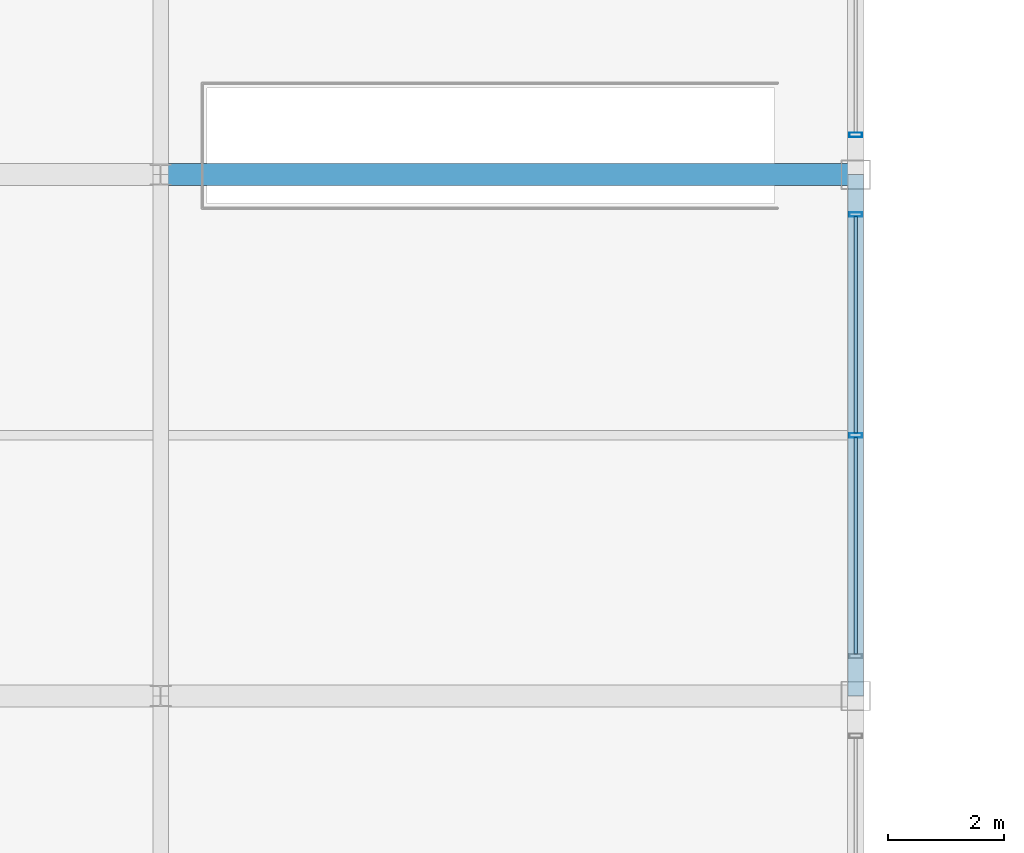
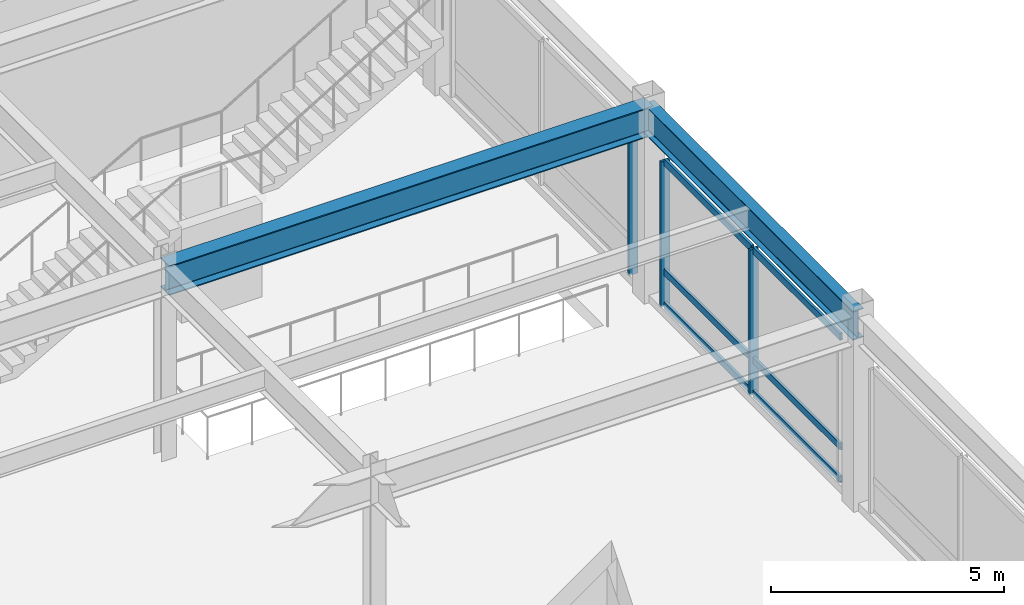
# One storey, part 54 of 100: 9 members, 2 beams, 2 elements without a shape of their own.
"""IFC4 building model written with IfcOpenShell, lengths in metres."""

from ifc_helpers import new_model, si_unit, direction, frame, origin, origin_2d, place, context, subcontext, project, spatial, hollow_rectangle, i_section, extrude, material, material_profile, profile_set, type_object, element, aggregate, save


model = new_model("IFC4")

# Units and contexts
model_context = context("Model", 3, precision=1e-05, world=origin(), true_north=direction((0.0, 1.0)))
body_context = subcontext(model_context, "Body", "Model", "MODEL_VIEW")
ifc_project = project(units=[si_unit("LENGTHUNIT", "METRE"), si_unit("AREAUNIT", "SQUARE_METRE"), si_unit("VOLUMEUNIT", "CUBIC_METRE"), si_unit("PLANEANGLEUNIT", "RADIAN"), si_unit("MASSUNIT", "GRAM", prefix="KILO")], contexts=[model_context])

# Site, building, storey
site_placement = place(None, origin())
site = spatial("IfcSite", under=ifc_project, at=site_placement, CompositionType="ELEMENT")
building_placement = place(site_placement, origin())
building = spatial("IfcBuilding", under=site, at=building_placement, Name="Kaldorvane Square Convention Centre", CompositionType="ELEMENT")
storey_placement = place(building_placement, frame((0.0, 0.0, 18.0)))
storey = spatial("IfcBuildingStorey", under=building, at=storey_placement, Name="L03", CompositionType="ELEMENT", Elevation=18.0)

# Beams
ifc_material_1 = material(Name="Steel ASTM A992 Gr. 50", Category="steel")
ifc_material_profile_1 = material_profile(ifc_material_1, i_section(OverallWidth=0.2666015625, OverallDepth=0.762298583984375, WebThickness=0.014404296875, FlangeThickness=0.0216064453125, FilletRadius=0.0164947509765625, at=origin_2d()), Name="W30X116")
ifc_profile_set_1 = profile_set([ifc_material_profile_1], Name="Steel ASTM A992 Gr. 50")
beam_type_1 = type_object("IfcBeamType", Name="BM-GR-W30X116", PredefinedType="BEAM", material=ifc_profile_set_1)
beam_1_placement = place(storey_placement, frame((138.0, 54.0, 4.694793701171875), z_axis=(0.0, 1.0, 0.0), x_axis=(-1.0, 0.0, 0.0)))
element("IfcBeam", 1, at=beam_1_placement, inside=storey, type_object=beam_type_1, Name="Transverse Girder (L03)", PredefinedType="BEAM", context=body_context, shape_type="SweptSolid", body=[
    extrude(i_section(OverallWidth=0.2666015625, OverallDepth=0.762298583984375, WebThickness=0.014404296875, FlangeThickness=0.0216064453125, FilletRadius=0.0164947509765625, at=origin_2d()), origin(), (0.0, 0.0, 1.0), 9.0),
])
ifc_material_profile_2 = material_profile(ifc_material_1, i_section(OverallWidth=0.380706787109375, OverallDepth=0.773193359375, WebThickness=0.0166015625, FlangeThickness=0.027099609375, FilletRadius=0.0164947509765625, at=origin_2d()), Name="W30X173")
ifc_profile_set_2 = profile_set([ifc_material_profile_2], Name="Steel ASTM A992 Gr. 50")
beam_type_2 = type_object("IfcBeamType", Name="BM-GR-W30X173", PredefinedType="BEAM", material=ifc_profile_set_2)
beam_2_placement = place(storey_placement, frame((126.0, 63.0, 4.6894073486328125), z_axis=(1.0, 0.0, 0.0), x_axis=(0.0, 1.0, 0.0)))
element("IfcBeam", 2, at=beam_2_placement, inside=storey, type_object=beam_type_2, Name="Primary Girder (L03)", PredefinedType="BEAM", context=body_context, shape_type="SweptSolid", body=[
    extrude(i_section(OverallWidth=0.380706787109375, OverallDepth=0.773193359375, WebThickness=0.0166015625, FlangeThickness=0.027099609375, FilletRadius=0.0164947509765625, at=origin_2d()), origin(), (0.0, 0.0, 1.0), 12.0),
])

# Curtain wall, members
ifc_material_2 = material(Name="Anodized Aluminum and Low-E Insulated Glazing", Category="aluminium")
curtain_wall_type = type_object("IfcCurtainWallType", Name="CW-PTS-FC-54", PredefinedType="USERDEFINED", material=ifc_material_2)
curtain_wall_1_placement = place(storey_placement, origin())
curtain_wall_1 = element("IfcCurtainWall", 3, at=curtain_wall_1_placement, inside=storey, type_object=curtain_wall_type, Name="Curtain Wall CW-08 (L03)", ObjectType="POINT SUPPORTED GLAZING", PredefinedType="USERDEFINED")
ifc_material_profile_3 = material_profile(ifc_material_2, hollow_rectangle(XDim=0.0749969482421875, YDim=0.220001220703125, WallThickness=0.003997802734375, at=origin_2d()), Name="CWM-220X75")
ifc_profile_set_3 = profile_set([ifc_material_profile_3], Name="Anodized Aluminum and Low-E Insulated Glazing")
member_type_1 = type_object("IfcMemberType", Name="CW-MUL-220", PredefinedType="MULLION", material=ifc_profile_set_3)
member_1_placement = place(storey_placement, frame((138.0, 58.5, 0.149993896484375), z_axis=(0.0, 0.0, 1.0), x_axis=(0.0, 1.0, 0.0)))
member_1 = element("IfcMember", 4, at=member_1_placement, type_object=member_type_1, Name="CW-08 mullion 2", PredefinedType="MULLION", context=body_context, shape_type="SweptSolid", body=[
    extrude(hollow_rectangle(XDim=0.0749969482421875, YDim=0.220001220703125, WallThickness=0.003997802734375, at=origin_2d()), origin(), (0.0, 0.0, 1.0), 3.8100128173828125),
])
member_2_placement = place(storey_placement, frame((138.0, 62.3125, 0.149993896484375), z_axis=(0.0, 0.0, 1.0), x_axis=(0.0, 1.0, 0.0)))
member_2 = element("IfcMember", 5, at=member_2_placement, type_object=member_type_1, Name="CW-08 mullion 3", PredefinedType="MULLION", context=body_context, shape_type="SweptSolid", body=[
    extrude(hollow_rectangle(XDim=0.0749969482421875, YDim=0.220001220703125, WallThickness=0.003997802734375, at=origin_2d()), origin(), (0.0, 0.0, 1.0), 3.8100128173828125),
])

# Curtain wall, member
curtain_wall_2_placement = place(storey_placement, origin())
curtain_wall_2 = element("IfcCurtainWall", 6, at=curtain_wall_2_placement, inside=storey, type_object=curtain_wall_type, Name="Curtain Wall CW-08 (L03)", ObjectType="POINT SUPPORTED GLAZING", PredefinedType="USERDEFINED")
member_3_placement = place(storey_placement, frame((138.0, 63.6875, 0.149993896484375), z_axis=(0.0, 0.0, 1.0), x_axis=(0.0, 1.0, 0.0)))
member_3 = element("IfcMember", 7, at=member_3_placement, type_object=member_type_1, Name="CW-08 mullion 1", PredefinedType="MULLION", context=body_context, shape_type="SweptSolid", body=[
    extrude(hollow_rectangle(XDim=0.0749969482421875, YDim=0.220001220703125, WallThickness=0.003997802734375, at=origin_2d()), origin(), (0.0, 0.0, 1.0), 3.8100128173828125),
])
aggregate(curtain_wall_2, [member_3])

# Member
ifc_material_profile_4 = material_profile(ifc_material_2, hollow_rectangle(XDim=0.06500244140625, YDim=0.17999267578125, WallThickness=0.0034942626953125, at=origin_2d()), Name="CWT-180X65")
ifc_profile_set_4 = profile_set([ifc_material_profile_4], Name="Anodized Aluminum and Low-E Insulated Glazing")
member_type_2 = type_object("IfcMemberType", Name="CW-TRN-180", PredefinedType="USERDEFINED", material=ifc_profile_set_4)
member_4_placement = place(storey_placement, frame((138.0, 54.725006103515625, 0.1824951171875), z_axis=(0.0, 1.0, 0.0), x_axis=(-1.0, 0.0, 0.0)))
member_4 = element("IfcMember", 8, at=member_4_placement, type_object=member_type_2, Name="CW-08 transom 1.1", ObjectType="TRANSOM", PredefinedType="USERDEFINED", context=body_context, shape_type="SweptSolid", body=[
    extrude(hollow_rectangle(XDim=0.06500244140625, YDim=0.17999267578125, WallThickness=0.0034942626953125, at=origin_2d()), origin(), (0.0, 0.0, 1.0), 3.73748779296875),
])

member_5_placement = place(storey_placement, frame((138.0, 54.725006103515625, 1.0500030517578125), z_axis=(0.0, 1.0, 0.0), x_axis=(-1.0, 0.0, 0.0)))
member_5 = element("IfcMember", 9, at=member_5_placement, type_object=member_type_2, Name="CW-08 transom 1.2", ObjectType="TRANSOM", PredefinedType="USERDEFINED", context=body_context, shape_type="SweptSolid", body=[
    extrude(hollow_rectangle(XDim=0.06500244140625, YDim=0.17999267578125, WallThickness=0.0034942626953125, at=origin_2d()), origin(), (0.0, 0.0, 1.0), 3.73748779296875),
])

member_6_placement = place(storey_placement, frame((138.0, 54.725006103515625, 3.9275054931640625), z_axis=(0.0, 1.0, 0.0), x_axis=(-1.0, 0.0, 0.0)))
member_6 = element("IfcMember", 10, at=member_6_placement, type_object=member_type_2, Name="CW-08 transom 1.3", ObjectType="TRANSOM", PredefinedType="USERDEFINED", context=body_context, shape_type="SweptSolid", body=[
    extrude(hollow_rectangle(XDim=0.06500244140625, YDim=0.17999267578125, WallThickness=0.0034942626953125, at=origin_2d()), origin(), (0.0, 0.0, 1.0), 3.73748779296875),
])

member_7_placement = place(storey_placement, frame((138.0, 58.537506103515625, 0.1824951171875), z_axis=(0.0, 1.0, 0.0), x_axis=(-1.0, 0.0, 0.0)))
member_7 = element("IfcMember", 11, at=member_7_placement, type_object=member_type_2, Name="CW-08 transom 2.1", ObjectType="TRANSOM", PredefinedType="USERDEFINED", context=body_context, shape_type="SweptSolid", body=[
    extrude(hollow_rectangle(XDim=0.06500244140625, YDim=0.17999267578125, WallThickness=0.0034942626953125, at=origin_2d()), origin(), (0.0, 0.0, 1.0), 3.73748779296875),
])

member_8_placement = place(storey_placement, frame((138.0, 58.537506103515625, 1.0500030517578125), z_axis=(0.0, 1.0, 0.0), x_axis=(-1.0, 0.0, 0.0)))
member_8 = element("IfcMember", 12, at=member_8_placement, type_object=member_type_2, Name="CW-08 transom 2.2", ObjectType="TRANSOM", PredefinedType="USERDEFINED", context=body_context, shape_type="SweptSolid", body=[
    extrude(hollow_rectangle(XDim=0.06500244140625, YDim=0.17999267578125, WallThickness=0.0034942626953125, at=origin_2d()), origin(), (0.0, 0.0, 1.0), 3.73748779296875),
])

member_9_placement = place(storey_placement, frame((138.0, 58.537506103515625, 3.9275054931640625), z_axis=(0.0, 1.0, 0.0), x_axis=(-1.0, 0.0, 0.0)))
member_9 = element("IfcMember", 13, at=member_9_placement, type_object=member_type_2, Name="CW-08 transom 2.3", ObjectType="TRANSOM", PredefinedType="USERDEFINED", context=body_context, shape_type="SweptSolid", body=[
    extrude(hollow_rectangle(XDim=0.06500244140625, YDim=0.17999267578125, WallThickness=0.0034942626953125, at=origin_2d()), origin(), (0.0, 0.0, 1.0), 3.73748779296875),
])

aggregate(curtain_wall_1, [member_1, member_2, member_4, member_5, member_6, member_7, member_8, member_9])

save(model, "model.ifc")
